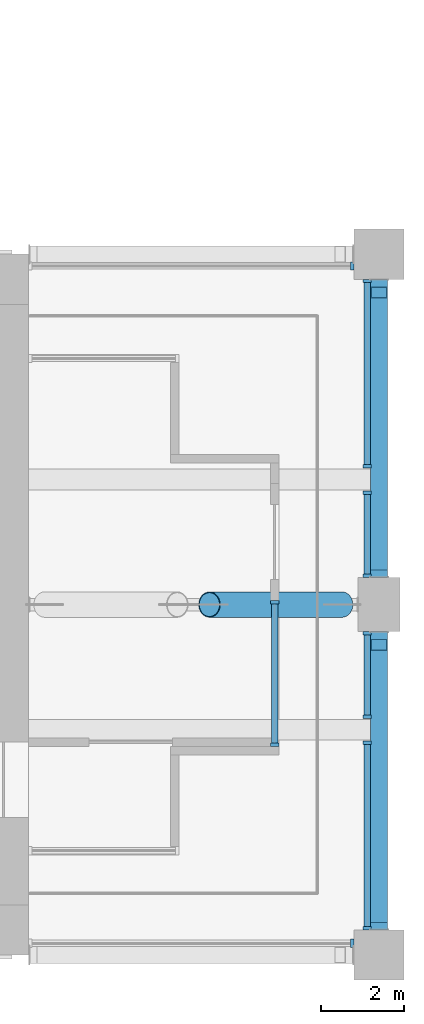
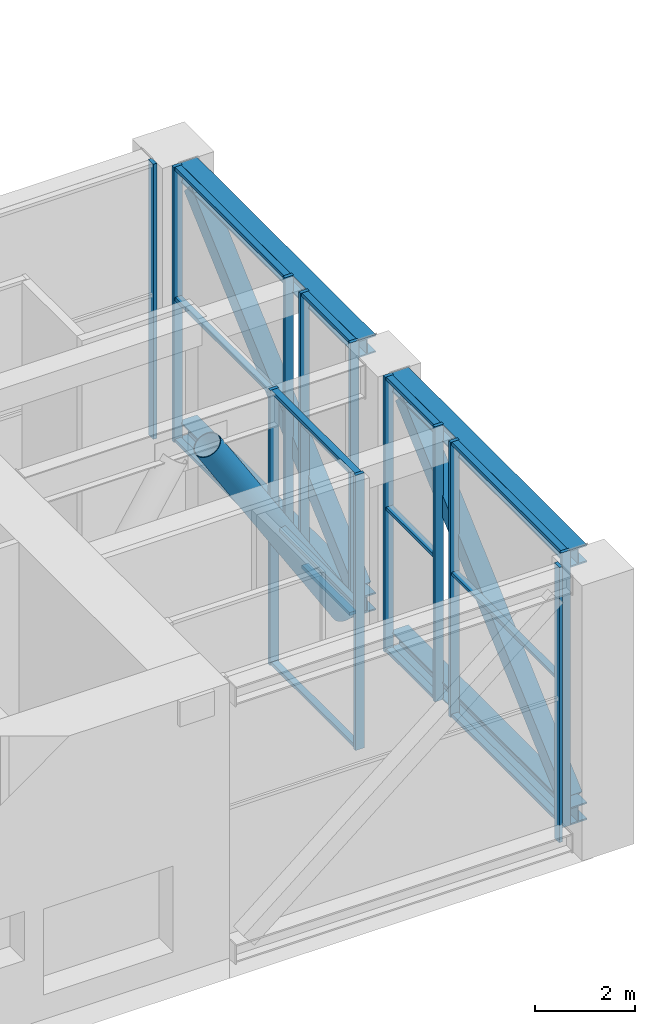
# One storey, part 6 of 22: 34 members, 7 elements without a shape of their own.
"""IFC4 building model written with IfcOpenShell, lengths in metres."""

from ifc_helpers import new_model, si_unit, direction, frame, origin, origin_2d, place, context, subcontext, project, spatial, rectangle, hollow_rectangle, hollow_circle, i_section, extrude, material, material_profile, profile_set, type_object, element, aggregate, save


model = new_model("IFC4")

# Units and contexts
model_context = context("Model", 3, precision=1e-05, world=origin(), true_north=direction((0.0, 1.0)))
body_context = subcontext(model_context, "Body", "Model", "MODEL_VIEW")
ifc_project = project(units=[si_unit("LENGTHUNIT", "METRE"), si_unit("AREAUNIT", "SQUARE_METRE"), si_unit("VOLUMEUNIT", "CUBIC_METRE"), si_unit("PLANEANGLEUNIT", "RADIAN"), si_unit("MASSUNIT", "GRAM", prefix="KILO")], contexts=[model_context])

# Site, building, storey
site_placement = place(None, origin())
site = spatial("IfcSite", under=ifc_project, at=site_placement, CompositionType="ELEMENT")
building_placement = place(site_placement, origin())
building = spatial("IfcBuilding", under=site, at=building_placement, Name="Vermilion Gate Residences", CompositionType="ELEMENT")
storey_placement = place(building_placement, frame((0.0, 0.0, 140.699951171875)))
storey = spatial("IfcBuildingStorey", under=building, at=storey_placement, Name="L36", CompositionType="ELEMENT", Elevation=140.699951171875)

# Curtain wall, members
ifc_material_1 = material(Name="Aluminium and glass", Category="aluminium")
curtain_wall_type = type_object("IfcCurtainWallType", Name="SKY GARDEN GLAZING CURTAIN WALL", PredefinedType="NOTDEFINED", material=ifc_material_1)
curtain_wall_1_placement = place(storey_placement, origin())
curtain_wall_1 = element("IfcCurtainWall", 1, at=curtain_wall_1_placement, inside=storey, type_object=curtain_wall_type, Name="Sky Garden Glazing 70", PredefinedType="NOTDEFINED")
ifc_material_2 = material(Name="Aluminium", Category="aluminium")
ifc_material_profile_1 = material_profile(ifc_material_2, rectangle(XDim=0.199951171875, YDim=0.080078125, at=origin_2d()), Name="MULLION 80 X 200")
ifc_profile_set_1 = profile_set([ifc_material_profile_1], Name="Aluminium")
member_type_1 = type_object("IfcMemberType", Name="SKY GARDEN GLAZING MULLION 80 X 200", PredefinedType="MULLION", material=ifc_profile_set_1)
member_1_placement = place(storey_placement, frame((64.699951171875, 13.43994140625, 0.0), z_axis=(0.0, 0.0, 1.0), x_axis=(-1.0, 0.0, 0.0)))
member_1 = element("IfcMember", 2, at=member_1_placement, type_object=member_type_1, Name="ECW3 mullion 1", PredefinedType="MULLION", context=body_context, shape_type="SweptSolid", body=[
    extrude(rectangle(XDim=0.199951171875, YDim=0.080078125, at=origin_2d()), origin(), (0.0, 0.0, 1.0), 6.719970703125),
])
member_2_placement = place(storey_placement, frame((64.699951171875, 16.860107421875, 0.0), z_axis=(0.0, 0.0, 1.0), x_axis=(-1.0, 0.0, 0.0)))
member_2 = element("IfcMember", 3, at=member_2_placement, type_object=member_type_1, Name="ECW3 mullion 2", PredefinedType="MULLION", context=body_context, shape_type="SweptSolid", body=[
    extrude(rectangle(XDim=0.199951171875, YDim=0.080078125, at=origin_2d()), origin(), (0.0, 0.0, 1.0), 6.719970703125),
])

# Curtain wall, member
curtain_wall_2_placement = place(storey_placement, origin())
curtain_wall_2 = element("IfcCurtainWall", 4, at=curtain_wall_2_placement, inside=storey, type_object=curtain_wall_type, Name="Sky Garden Glazing 508", PredefinedType="NOTDEFINED")
member_3_placement = place(storey_placement, frame((66.56005859375, 8.679931640625, 0.0), z_axis=(0.0, 0.0, 1.0), x_axis=(0.0, 1.0, 0.0)))
member_3 = element("IfcMember", 5, at=member_3_placement, type_object=member_type_1, Name="ECW3 mullion 2", PredefinedType="MULLION", context=body_context, shape_type="SweptSolid", body=[
    extrude(rectangle(XDim=0.199951171875, YDim=0.080078125, at=origin_2d()), origin(), (0.0, 0.0, 1.0), 6.719970703125),
])
aggregate(curtain_wall_2, [member_3])

# Curtain wall, members
curtain_wall_3_placement = place(storey_placement, origin())
curtain_wall_3 = element("IfcCurtainWall", 6, at=curtain_wall_3_placement, inside=storey, type_object=curtain_wall_type, Name="Sky Garden Glazing 509", PredefinedType="NOTDEFINED")
member_4_placement = place(storey_placement, frame((66.919921875, 9.0400390625, 0.0), z_axis=(0.0, 0.0, 1.0), x_axis=(-1.0, 0.0, 0.0)))
member_4 = element("IfcMember", 7, at=member_4_placement, type_object=member_type_1, Name="ECW3 mullion 1", PredefinedType="MULLION", context=body_context, shape_type="SweptSolid", body=[
    extrude(rectangle(XDim=0.199951171875, YDim=0.080078125, at=origin_2d()), origin(), (0.0, 0.0, 1.0), 6.719970703125),
])
member_5_placement = place(storey_placement, frame((66.919921875, 13.485107421875, 0.0), z_axis=(0.0, 0.0, 1.0), x_axis=(-1.0, 0.0, 0.0)))
member_5 = element("IfcMember", 8, at=member_5_placement, type_object=member_type_1, Name="ECW3 mullion 2", PredefinedType="MULLION", context=body_context, shape_type="SweptSolid", body=[
    extrude(rectangle(XDim=0.199951171875, YDim=0.080078125, at=origin_2d()), origin(), (0.0, 0.0, 1.0), 6.719970703125),
])

curtain_wall_4_placement = place(storey_placement, origin())
curtain_wall_4 = element("IfcCurtainWall", 9, at=curtain_wall_4_placement, inside=storey, type_object=curtain_wall_type, Name="Sky Garden Glazing 510", PredefinedType="NOTDEFINED")
member_6_placement = place(storey_placement, frame((66.919921875, 14.114990234375, 0.0), z_axis=(0.0, 0.0, 1.0), x_axis=(-1.0, 0.0, 0.0)))
member_6 = element("IfcMember", 10, at=member_6_placement, type_object=member_type_1, Name="ECW3 mullion 1", PredefinedType="MULLION", context=body_context, shape_type="SweptSolid", body=[
    extrude(rectangle(XDim=0.199951171875, YDim=0.080078125, at=origin_2d()), origin(), (0.0, 0.0, 1.0), 6.719970703125),
])
member_7_placement = place(storey_placement, frame((66.919921875, 16.110107421875, 0.0), z_axis=(0.0, 0.0, 1.0), x_axis=(-1.0, 0.0, 0.0)))
member_7 = element("IfcMember", 11, at=member_7_placement, type_object=member_type_1, Name="ECW3 mullion 2", PredefinedType="MULLION", context=body_context, shape_type="SweptSolid", body=[
    extrude(rectangle(XDim=0.199951171875, YDim=0.080078125, at=origin_2d()), origin(), (0.0, 0.0, 1.0), 6.719970703125),
])

curtain_wall_5_placement = place(storey_placement, origin())
curtain_wall_5 = element("IfcCurtainWall", 12, at=curtain_wall_5_placement, inside=storey, type_object=curtain_wall_type, Name="Sky Garden Glazing 511", PredefinedType="NOTDEFINED")
member_8_placement = place(storey_placement, frame((66.919921875, 17.489990234375, 0.0), z_axis=(0.0, 0.0, 1.0), x_axis=(-1.0, 0.0, 0.0)))
member_8 = element("IfcMember", 13, at=member_8_placement, type_object=member_type_1, Name="ECW3 mullion 1", PredefinedType="MULLION", context=body_context, shape_type="SweptSolid", body=[
    extrude(rectangle(XDim=0.199951171875, YDim=0.080078125, at=origin_2d()), origin(), (0.0, 0.0, 1.0), 6.719970703125),
])
member_9_placement = place(storey_placement, frame((66.919921875, 19.485107421875, 0.0), z_axis=(0.0, 0.0, 1.0), x_axis=(-1.0, 0.0, 0.0)))
member_9 = element("IfcMember", 14, at=member_9_placement, type_object=member_type_1, Name="ECW3 mullion 2", PredefinedType="MULLION", context=body_context, shape_type="SweptSolid", body=[
    extrude(rectangle(XDim=0.199951171875, YDim=0.080078125, at=origin_2d()), origin(), (0.0, 0.0, 1.0), 6.719970703125),
])

curtain_wall_6_placement = place(storey_placement, origin())
curtain_wall_6 = element("IfcCurtainWall", 15, at=curtain_wall_6_placement, inside=storey, type_object=curtain_wall_type, Name="Sky Garden Glazing 512", PredefinedType="NOTDEFINED")
member_10_placement = place(storey_placement, frame((66.919921875, 20.114990234375, 0.0), z_axis=(0.0, 0.0, 1.0), x_axis=(-1.0, 0.0, 0.0)))
member_10 = element("IfcMember", 16, at=member_10_placement, type_object=member_type_1, Name="ECW3 mullion 1", PredefinedType="MULLION", context=body_context, shape_type="SweptSolid", body=[
    extrude(rectangle(XDim=0.199951171875, YDim=0.080078125, at=origin_2d()), origin(), (0.0, 0.0, 1.0), 6.719970703125),
])
member_11_placement = place(storey_placement, frame((66.919921875, 24.56005859375, 0.0), z_axis=(0.0, 0.0, 1.0), x_axis=(-1.0, 0.0, 0.0)))
member_11 = element("IfcMember", 17, at=member_11_placement, type_object=member_type_1, Name="ECW3 mullion 2", PredefinedType="MULLION", context=body_context, shape_type="SweptSolid", body=[
    extrude(rectangle(XDim=0.199951171875, YDim=0.080078125, at=origin_2d()), origin(), (0.0, 0.0, 1.0), 6.719970703125),
])

# Curtain wall, member
curtain_wall_7_placement = place(storey_placement, origin())
curtain_wall_7 = element("IfcCurtainWall", 18, at=curtain_wall_7_placement, inside=storey, type_object=curtain_wall_type, Name="Sky Garden Glazing 513", PredefinedType="NOTDEFINED")
member_12_placement = place(storey_placement, frame((66.56005859375, 24.919921875, 0.0), z_axis=(0.0, 0.0, 1.0), x_axis=(0.0, -1.0, 0.0)))
member_12 = element("IfcMember", 19, at=member_12_placement, type_object=member_type_1, Name="ECW3 mullion 1", PredefinedType="MULLION", context=body_context, shape_type="SweptSolid", body=[
    extrude(rectangle(XDim=0.199951171875, YDim=0.080078125, at=origin_2d()), origin(), (0.0, 0.0, 1.0), 6.719970703125),
])
aggregate(curtain_wall_7, [member_12])

# Member
ifc_material_3 = material(Name="Aluminium", Category="aluminium")
ifc_material_profile_2 = material_profile(ifc_material_3, rectangle(XDim=0.14990234375, YDim=0.080078125, at=origin_2d()), Name="TRANSOM 80 X 150")
ifc_profile_set_2 = profile_set([ifc_material_profile_2], Name="Aluminium")
member_type_2 = type_object("IfcMemberType", Name="SKY GARDEN GLAZING TRANSOM 80 X 150", PredefinedType="MULLION", material=ifc_profile_set_2)
member_13_placement = place(storey_placement, frame((64.699951171875, 13.47998046875, 0.0400390625), z_axis=(0.0, 1.0, 0.0), x_axis=(-1.0, 0.0, 0.0)))
member_13 = element("IfcMember", 20, at=member_13_placement, type_object=member_type_2, Name="ECW3 transom 1.1", PredefinedType="MULLION", context=body_context, shape_type="SweptSolid", body=[
    extrude(rectangle(XDim=0.14990234375, YDim=0.080078125, at=origin_2d()), origin(), (0.0, 0.0, 1.0), 3.340087890625),
])

member_14_placement = place(storey_placement, frame((64.699951171875, 13.47998046875, 3.5), z_axis=(0.0, 1.0, 0.0), x_axis=(-1.0, 0.0, 0.0)))
member_14 = element("IfcMember", 21, at=member_14_placement, type_object=member_type_2, Name="ECW3 transom 1.2", PredefinedType="MULLION", context=body_context, shape_type="SweptSolid", body=[
    extrude(rectangle(XDim=0.14990234375, YDim=0.080078125, at=origin_2d()), origin(), (0.0, 0.0, 1.0), 3.340087890625),
])

member_15_placement = place(storey_placement, frame((64.699951171875, 13.47998046875, 6.679931640625), z_axis=(0.0, 1.0, 0.0), x_axis=(-1.0, 0.0, 0.0)))
member_15 = element("IfcMember", 22, at=member_15_placement, type_object=member_type_2, Name="ECW3 transom 1.3", PredefinedType="MULLION", context=body_context, shape_type="SweptSolid", body=[
    extrude(rectangle(XDim=0.14990234375, YDim=0.080078125, at=origin_2d()), origin(), (0.0, 0.0, 1.0), 3.340087890625),
])

aggregate(curtain_wall_1, [member_1, member_2, member_13, member_14, member_15])

member_16_placement = place(storey_placement, frame((66.919921875, 9.080078125, 0.0400390625), z_axis=(0.0, 1.0, 0.0), x_axis=(-1.0, 0.0, 0.0)))
member_16 = element("IfcMember", 23, at=member_16_placement, type_object=member_type_2, Name="ECW3 transom 1.1", PredefinedType="MULLION", context=body_context, shape_type="SweptSolid", body=[
    extrude(rectangle(XDim=0.14990234375, YDim=0.080078125, at=origin_2d()), origin(), (0.0, 0.0, 1.0), 4.364990234375),
])

member_17_placement = place(storey_placement, frame((66.919921875, 9.080078125, 3.5), z_axis=(0.0, 1.0, 0.0), x_axis=(-1.0, 0.0, 0.0)))
member_17 = element("IfcMember", 24, at=member_17_placement, type_object=member_type_2, Name="ECW3 transom 1.2", PredefinedType="MULLION", context=body_context, shape_type="SweptSolid", body=[
    extrude(rectangle(XDim=0.14990234375, YDim=0.080078125, at=origin_2d()), origin(), (0.0, 0.0, 1.0), 4.364990234375),
])

member_18_placement = place(storey_placement, frame((66.919921875, 9.080078125, 6.679931640625), z_axis=(0.0, 1.0, 0.0), x_axis=(-1.0, 0.0, 0.0)))
member_18 = element("IfcMember", 25, at=member_18_placement, type_object=member_type_2, Name="ECW3 transom 1.3", PredefinedType="MULLION", context=body_context, shape_type="SweptSolid", body=[
    extrude(rectangle(XDim=0.14990234375, YDim=0.080078125, at=origin_2d()), origin(), (0.0, 0.0, 1.0), 4.364990234375),
])

aggregate(curtain_wall_3, [member_4, member_5, member_16, member_17, member_18])

member_19_placement = place(storey_placement, frame((66.919921875, 14.155029296875, 0.0400390625), z_axis=(0.0, 1.0, 0.0), x_axis=(-1.0, 0.0, 0.0)))
member_19 = element("IfcMember", 26, at=member_19_placement, type_object=member_type_2, Name="ECW3 transom 1.1", PredefinedType="MULLION", context=body_context, shape_type="SweptSolid", body=[
    extrude(rectangle(XDim=0.14990234375, YDim=0.080078125, at=origin_2d()), origin(), (0.0, 0.0, 1.0), 1.9150390625),
])

member_20_placement = place(storey_placement, frame((66.919921875, 14.155029296875, 3.5), z_axis=(0.0, 1.0, 0.0), x_axis=(-1.0, 0.0, 0.0)))
member_20 = element("IfcMember", 27, at=member_20_placement, type_object=member_type_2, Name="ECW3 transom 1.2", PredefinedType="MULLION", context=body_context, shape_type="SweptSolid", body=[
    extrude(rectangle(XDim=0.14990234375, YDim=0.080078125, at=origin_2d()), origin(), (0.0, 0.0, 1.0), 1.9150390625),
])

member_21_placement = place(storey_placement, frame((66.919921875, 14.155029296875, 6.679931640625), z_axis=(0.0, 1.0, 0.0), x_axis=(-1.0, 0.0, 0.0)))
member_21 = element("IfcMember", 28, at=member_21_placement, type_object=member_type_2, Name="ECW3 transom 1.3", PredefinedType="MULLION", context=body_context, shape_type="SweptSolid", body=[
    extrude(rectangle(XDim=0.14990234375, YDim=0.080078125, at=origin_2d()), origin(), (0.0, 0.0, 1.0), 1.9150390625),
])

aggregate(curtain_wall_4, [member_6, member_7, member_19, member_20, member_21])

member_22_placement = place(storey_placement, frame((66.919921875, 17.530029296875, 0.0400390625), z_axis=(0.0, 1.0, 0.0), x_axis=(-1.0, 0.0, 0.0)))
member_22 = element("IfcMember", 29, at=member_22_placement, type_object=member_type_2, Name="ECW3 transom 1.1", PredefinedType="MULLION", context=body_context, shape_type="SweptSolid", body=[
    extrude(rectangle(XDim=0.14990234375, YDim=0.080078125, at=origin_2d()), origin(), (0.0, 0.0, 1.0), 1.9150390625),
])

member_23_placement = place(storey_placement, frame((66.919921875, 17.530029296875, 3.5), z_axis=(0.0, 1.0, 0.0), x_axis=(-1.0, 0.0, 0.0)))
member_23 = element("IfcMember", 30, at=member_23_placement, type_object=member_type_2, Name="ECW3 transom 1.2", PredefinedType="MULLION", context=body_context, shape_type="SweptSolid", body=[
    extrude(rectangle(XDim=0.14990234375, YDim=0.080078125, at=origin_2d()), origin(), (0.0, 0.0, 1.0), 1.9150390625),
])

member_24_placement = place(storey_placement, frame((66.919921875, 17.530029296875, 6.679931640625), z_axis=(0.0, 1.0, 0.0), x_axis=(-1.0, 0.0, 0.0)))
member_24 = element("IfcMember", 31, at=member_24_placement, type_object=member_type_2, Name="ECW3 transom 1.3", PredefinedType="MULLION", context=body_context, shape_type="SweptSolid", body=[
    extrude(rectangle(XDim=0.14990234375, YDim=0.080078125, at=origin_2d()), origin(), (0.0, 0.0, 1.0), 1.9150390625),
])

aggregate(curtain_wall_5, [member_8, member_9, member_22, member_23, member_24])

member_25_placement = place(storey_placement, frame((66.919921875, 20.155029296875, 0.0400390625), z_axis=(0.0, 1.0, 0.0), x_axis=(-1.0, 0.0, 0.0)))
member_25 = element("IfcMember", 32, at=member_25_placement, type_object=member_type_2, Name="ECW3 transom 1.1", PredefinedType="MULLION", context=body_context, shape_type="SweptSolid", body=[
    extrude(rectangle(XDim=0.14990234375, YDim=0.080078125, at=origin_2d()), origin(), (0.0, 0.0, 1.0), 4.364990234375),
])

member_26_placement = place(storey_placement, frame((66.919921875, 20.155029296875, 3.5), z_axis=(0.0, 1.0, 0.0), x_axis=(-1.0, 0.0, 0.0)))
member_26 = element("IfcMember", 33, at=member_26_placement, type_object=member_type_2, Name="ECW3 transom 1.2", PredefinedType="MULLION", context=body_context, shape_type="SweptSolid", body=[
    extrude(rectangle(XDim=0.14990234375, YDim=0.080078125, at=origin_2d()), origin(), (0.0, 0.0, 1.0), 4.364990234375),
])

member_27_placement = place(storey_placement, frame((66.919921875, 20.155029296875, 6.679931640625), z_axis=(0.0, 1.0, 0.0), x_axis=(-1.0, 0.0, 0.0)))
member_27 = element("IfcMember", 34, at=member_27_placement, type_object=member_type_2, Name="ECW3 transom 1.3", PredefinedType="MULLION", context=body_context, shape_type="SweptSolid", body=[
    extrude(rectangle(XDim=0.14990234375, YDim=0.080078125, at=origin_2d()), origin(), (0.0, 0.0, 1.0), 4.364990234375),
])

aggregate(curtain_wall_6, [member_10, member_11, member_25, member_26, member_27])

# Members
ifc_material_4 = material(Name="Steel SM490", Category="steel")
ifc_material_profile_3 = material_profile(ifc_material_4, i_section(OverallWidth=0.406982421875, OverallDepth=0.427978515625, WebThickness=0.02001953125, FlangeThickness=0.034912109375, at=origin_2d()), Name="H-428x407x20x35")
ifc_profile_set_3 = profile_set([ifc_material_profile_3], Name="Steel SM490")
member_type_3 = type_object("IfcMemberType", Name="STEEL BELT TRUSS CHORD H-428x407x20x35 SM490", PredefinedType="CHORD", material=ifc_profile_set_3)
for number, where, z_axis, x_axis, name in (
    (35, (67.199951171875, 9.0, 0.214111328125), (0.0, 1.0, 0.0), (-1.0, 0.0, 0.0), "Belt Truss chord bot L36 BELT34"),
    (36, (67.199951171875, 9.0, 6.506103515625), (0.0, 1.0, 0.0), (-1.0, 0.0, 0.0), "Belt Truss chord top L36 BELT34"),
):
    element("IfcMember", number, at=place(storey_placement, frame(where, z_axis=z_axis, x_axis=x_axis)), inside=storey, type_object=member_type_3, Name=name, PredefinedType="CHORD", context=body_context, shape_type="SweptSolid", body=[
        extrude(i_section(OverallWidth=0.406982421875, OverallDepth=0.427978515625, WebThickness=0.02001953125, FlangeThickness=0.034912109375, at=origin_2d()), origin(), (0.0, 0.0, 1.0), 7.14990234375),
    ])
for number, where, z_axis, x_axis, name in (
    (37, (67.199951171875, 17.449951171875, 0.214111328125), (0.0, 1.0, 0.0), (-1.0, 0.0, 0.0), "Belt Truss chord bot L36 BELT35"),
    (38, (67.199951171875, 17.449951171875, 6.506103515625), (0.0, 1.0, 0.0), (-1.0, 0.0, 0.0), "Belt Truss chord top L36 BELT35"),
):
    element("IfcMember", number, at=place(storey_placement, frame(where, z_axis=z_axis, x_axis=x_axis)), inside=storey, type_object=member_type_3, Name=name, PredefinedType="CHORD", context=body_context, shape_type="SweptSolid", body=[
        extrude(i_section(OverallWidth=0.406982421875, OverallDepth=0.427978515625, WebThickness=0.02001953125, FlangeThickness=0.034912109375, at=origin_2d()), origin(), (0.0, 0.0, 1.0), 7.150146484375),
    ])
ifc_material_5 = material(Name="Steel SM490", Category="steel")
ifc_material_profile_4 = material_profile(ifc_material_5, hollow_rectangle(XDim=0.39990234375, YDim=0.39990234375, WallThickness=0.01611328125, at=origin_2d()), Name="BOX-400x400x16")
ifc_profile_set_4 = profile_set([ifc_material_profile_4], Name="Steel SM490")
member_type_4 = type_object("IfcMemberType", Name="STEEL BELT TRUSS DIAGONAL BOX-400x400x16 SM490", PredefinedType="BRACE", material=ifc_profile_set_4)
for number, where, z_axis, x_axis, name in (
    (39, (67.199951171875, 9.3154296875, 0.427978515625), (0.0, 0.743483785194, 0.668753961599), (-1.0, 0.0, 0.0), "Belt Truss diagonal L36 BELT34-1"),
    (40, (67.199951171875, 17.765380859375, 0.427978515625), (0.0, 0.743483785194, 0.668753961599), (-1.0, 0.0, 0.0), "Belt Truss diagonal L36 BELT35-1"),
):
    element("IfcMember", number, at=place(storey_placement, frame(where, z_axis=z_axis, x_axis=x_axis)), inside=storey, type_object=member_type_4, Name=name, PredefinedType="BRACE", context=body_context, shape_type="SweptSolid", body=[
        extrude(hollow_rectangle(XDim=0.39990234375, YDim=0.39990234375, WallThickness=0.01611328125, at=origin_2d()), origin(), (0.0, 0.0, 1.0), 8.7685546875),
    ])
ifc_material_6 = material(Name="Steel SM490", Category="steel")
ifc_material_profile_5 = material_profile(ifc_material_6, hollow_circle(Radius=0.3046875, WallThickness=0.01904296875, at=origin_2d()), Name="CHS-609.6x19")
ifc_profile_set_5 = profile_set([ifc_material_profile_5], Name="Steel SM490")
member_type_5 = type_object("IfcMemberType", Name="STEEL OUTRIGGER TRUSS DIAGONAL CHS-609.6x19 SM490", PredefinedType="BRACE", material=ifc_profile_set_5)
member_28_placement = place(storey_placement, frame((63.135009765625, 16.800048828125, 5.920166015625), z_axis=(0.527593745243, 0.0, -0.849496815757), x_axis=(0.0, 1.0, 0.0)))
element("IfcMember", 41, at=member_28_placement, inside=storey, type_object=member_type_5, Name="Outrigger Truss diagonal L36 OUT6-2", PredefinedType="BRACE", context=body_context, shape_type="SweptSolid", body=[
    extrude(hollow_circle(Radius=0.3046875, WallThickness=0.01904296875, at=origin_2d()), origin(), (0.0, 0.0, 1.0), 6.02734375),
])

save(model, "model.ifc")
